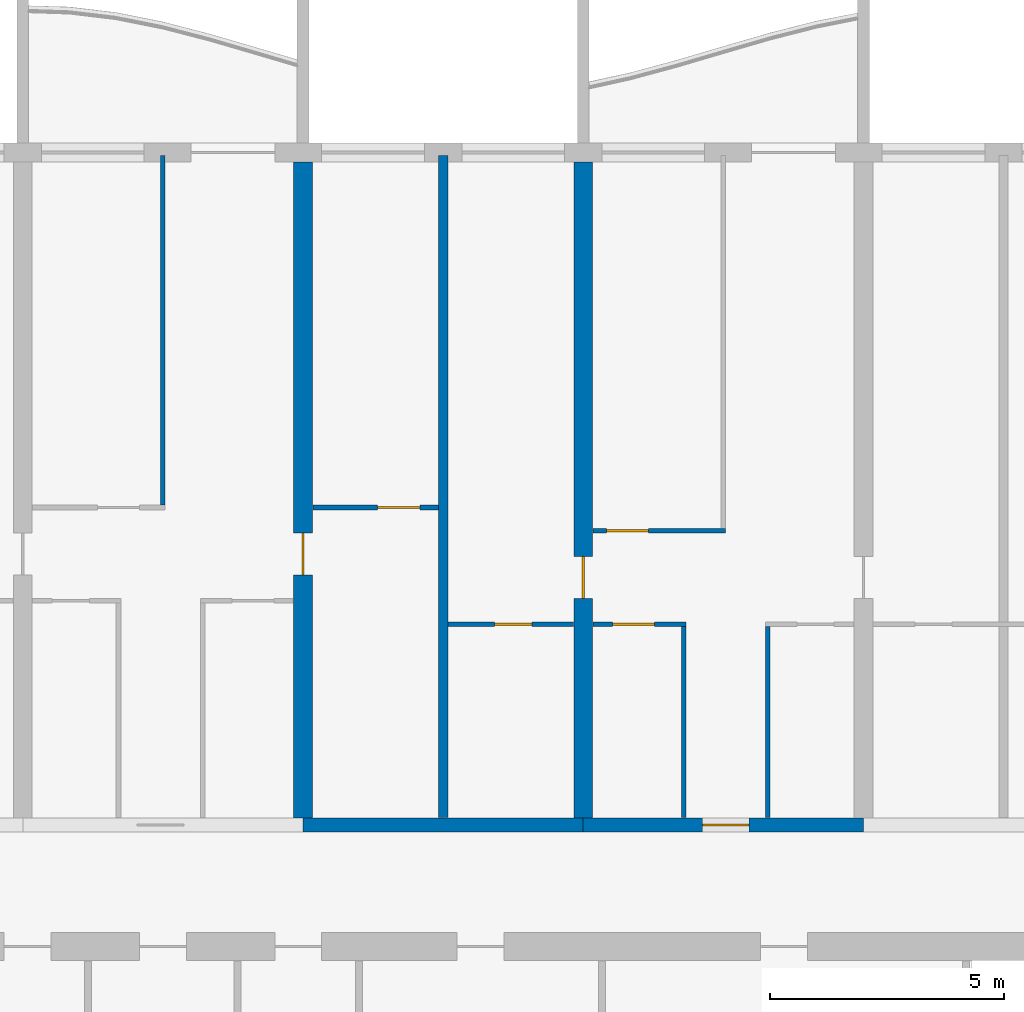
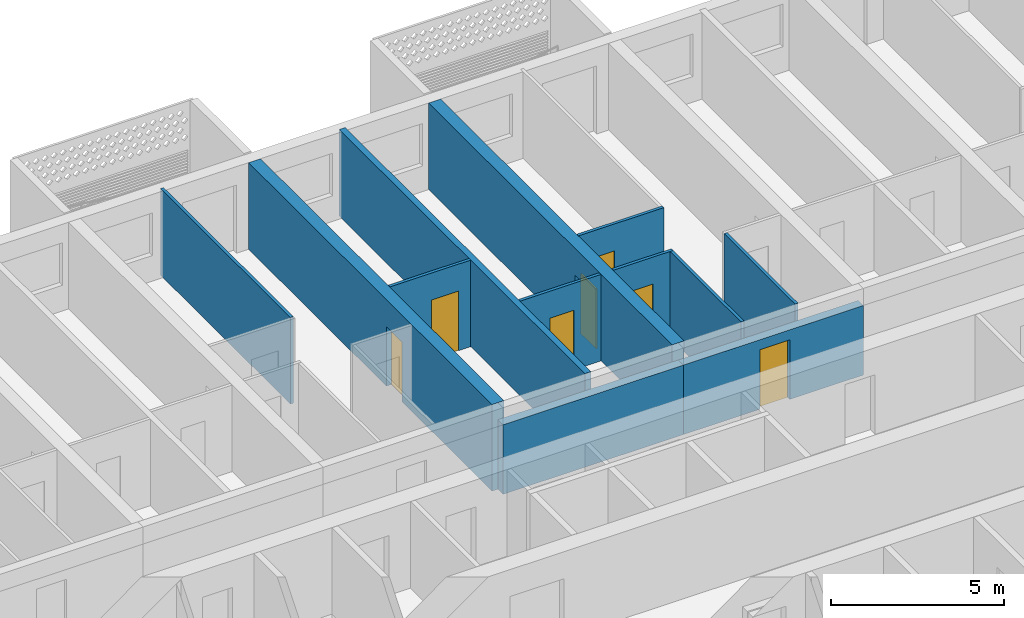
# One storey, part 12 of 40: 12 walls, 7 doors, 7 openings.
"""IFC4 building model written with IfcOpenShell, lengths in metres."""

from ifc_helpers import new_model, si_unit, direction, frame, frame_2d, origin, place, context, subcontext, project, spatial, rectangle, extrude, material, layer, layer_set, type_object, element, fill, save


model = new_model("IFC4")

# Units and contexts
model_context = context("Model", 3, precision=1e-05, world=origin(), true_north=direction((0.0, 1.0)))
body_context = subcontext(model_context, "Body", "Model", "MODEL_VIEW")
ifc_project = project(units=[si_unit("LENGTHUNIT", "METRE"), si_unit("AREAUNIT", "SQUARE_METRE"), si_unit("VOLUMEUNIT", "CUBIC_METRE"), si_unit("PLANEANGLEUNIT", "RADIAN"), si_unit("MASSUNIT", "GRAM", prefix="KILO")], contexts=[model_context])

# Site, building, storey
site_placement = place(None, origin())
site = spatial("IfcSite", under=ifc_project, at=site_placement, CompositionType="ELEMENT")
building_placement = place(site_placement, origin())
building = spatial("IfcBuilding", under=site, at=building_placement, Name="Poui Terraces", CompositionType="ELEMENT")
storey_placement = place(building_placement, frame((0.0, 0.0, 36.60009765625)))
storey = spatial("IfcBuildingStorey", under=building, at=storey_placement, Name="L09", CompositionType="ELEMENT", Elevation=36.60009765625)

# Wall
ifc_material_1 = material(Name="Concrete 80 MPa", Category="concrete")
ifc_layer_1 = layer(ifc_material_1, 0.300048828125)
ifc_layer_set_1 = layer_set([ifc_layer_1], Name="Concrete 80 MPa")
wall_type_1 = type_object("IfcWallType", Name="CORRIDOR WALL 300 80MPa", PredefinedType="SHEAR", material=ifc_layer_set_1)
wall_1_placement = place(storey_placement, frame((54.0, 30.39990234375, 0.0), z_axis=(0.0, 0.0, 1.0), x_axis=(1.0, 0.0, 0.0)))
element("IfcWall", 1, at=wall_1_placement, inside=storey, type_object=wall_type_1, Name="CORRIDOR WALL LINE E BAY 10", PredefinedType="SHEAR", context=body_context, shape_type="SweptSolid", body=[
    extrude(rectangle(XDim=6.0, YDim=0.300048828125, at=frame_2d((3.0, 0.0))), origin(), (0.0, 0.0, 1.0), 2.449951171875),
])

# Wall, opening, door
wall_2_placement = place(storey_placement, frame((60.0, 30.39990234375, 0.0), z_axis=(0.0, 0.0, 1.0), x_axis=(1.0, 0.0, 0.0)))
wall_2 = element("IfcWall", 2, at=wall_2_placement, inside=storey, type_object=wall_type_1, Name="CORRIDOR WALL LINE E BAY 11", PredefinedType="SHEAR", context=body_context, shape_type="SweptSolid", body=[
    extrude(rectangle(XDim=6.0, YDim=0.300048828125, at=frame_2d((3.0, 0.0))), origin(), (0.0, 0.0, 1.0), 2.449951171875),
])
opening_1_placement = place(wall_2_placement, frame((2.550048828125, 0.0, 0.0)))
opening_1 = element("IfcOpeningElement", 3, at=opening_1_placement, cuts=wall_2, Name="Opening FD30S", PredefinedType="OPENING", context=body_context, shape_type="SweptSolid", body=[
    extrude(rectangle(XDim=1.0, YDim=2.10009765625, at=frame_2d((0.5, 1.050048828125))), frame((0.0, 0.16015625, 0.0), z_axis=(0.0, -1.0, 0.0), x_axis=(1.0, 0.0, 0.0)), (0.0, 0.0, 1.0), 0.320068359375),
])
ifc_material_2 = material(Name="Steel fire door", Category="steel")
door_type_1 = type_object("IfcDoorType", Name="FLAT ENTRANCE DOOR 1000 X 2100", OperationType="NOTDEFINED", PredefinedType="DOOR", material=ifc_material_2)
door_1_placement = place(opening_1_placement, origin())
door_1 = element("IfcDoor", 4, at=door_1_placement, inside=storey, type_object=door_type_1, Name="FLAT ENTRANCE DOOR 068", OperationType="SINGLE_SWING_RIGHT", OverallHeight=2.10009765625, OverallWidth=1.0, PredefinedType="DOOR", context=body_context, shape_type="SweptSolid", body=[
    extrude(rectangle(XDim=1.0, YDim=2.10009765625, at=frame_2d((0.5, 1.050048828125))), frame((0.0, 0.02490234375, 0.0), z_axis=(0.0, -1.0, 0.0), x_axis=(1.0, 0.0, 0.0)), (0.0, 0.0, 1.0), 0.050048828125),
])
fill(opening_1, door_1)

ifc_layer_2 = layer(ifc_material_1, 0.39990234375)
ifc_layer_set_2 = layer_set([ifc_layer_2], Name="Concrete 80 MPa")
wall_type_2 = type_object("IfcWallType", Name="CROSS WALL 400 80MPa", PredefinedType="SHEAR", material=ifc_layer_set_2)
wall_3_placement = place(storey_placement, frame((54.0, 30.550048828125, 0.0), z_axis=(0.0, 0.0, 1.0), x_axis=(0.0, 1.0, 0.0)))
wall_3 = element("IfcWall", 5, at=wall_3_placement, inside=storey, type_object=wall_type_2, Name="CROSS WALL LINE 10 NORTH", PredefinedType="SHEAR", context=body_context, shape_type="SweptSolid", body=[
    extrude(rectangle(XDim=14.050048828125, YDim=0.39990234375, at=frame_2d((7.02490234375, 0.0))), origin(), (0.0, 0.0, 1.0), 3.0498046875),
])
opening_2_placement = place(wall_3_placement, frame((5.199951171875, 0.0, 0.0)))
opening_2 = element("IfcOpeningElement", 6, at=opening_2_placement, cuts=wall_3, Name="Opening D90", PredefinedType="OPENING", context=body_context, shape_type="SweptSolid", body=[
    extrude(rectangle(XDim=0.89990234375, YDim=2.10009765625, at=frame_2d((0.449951171875, 1.050048828125))), frame((0.0, 0.2099609375, 0.0), z_axis=(0.0, -1.0, 0.0), x_axis=(1.0, 0.0, 0.0)), (0.0, 0.0, 1.0), 0.419921875),
])
ifc_material_3 = material(Name="Solid core timber door", Category="wood")
door_type_2 = type_object("IfcDoorType", Name="INTERNAL DOOR 900 X 2100", OperationType="NOTDEFINED", PredefinedType="DOOR", material=ifc_material_3)
door_2_placement = place(opening_2_placement, origin())
door_2 = element("IfcDoor", 7, at=door_2_placement, inside=storey, type_object=door_type_2, Name="INTERNAL DOOR 062", OperationType="SINGLE_SWING_LEFT", OverallHeight=2.10009765625, OverallWidth=0.89990234375, PredefinedType="DOOR", context=body_context, shape_type="SweptSolid", body=[
    extrude(rectangle(XDim=0.89990234375, YDim=2.10009765625, at=frame_2d((0.449951171875, 1.050048828125))), frame((0.0, 0.02490234375, 0.0), z_axis=(0.0, -1.0, 0.0), x_axis=(1.0, 0.0, 0.0)), (0.0, 0.0, 1.0), 0.050048828125),
])
fill(opening_2, door_2)

wall_4_placement = place(storey_placement, frame((60.0, 30.550048828125, 0.0), z_axis=(0.0, 0.0, 1.0), x_axis=(0.0, 1.0, 0.0)))
wall_4 = element("IfcWall", 8, at=wall_4_placement, inside=storey, type_object=wall_type_2, Name="CROSS WALL LINE 11 NORTH", PredefinedType="SHEAR", context=body_context, shape_type="SweptSolid", body=[
    extrude(rectangle(XDim=14.050048828125, YDim=0.39990234375, at=frame_2d((7.02490234375, 0.0))), origin(), (0.0, 0.0, 1.0), 3.0498046875),
])
opening_3_placement = place(wall_4_placement, frame((4.699951171875, 0.0, 0.0)))
opening_3 = element("IfcOpeningElement", 9, at=opening_3_placement, cuts=wall_4, Name="Opening D90", PredefinedType="OPENING", context=body_context, shape_type="SweptSolid", body=[
    extrude(rectangle(XDim=0.89990234375, YDim=2.10009765625, at=frame_2d((0.449951171875, 1.050048828125))), frame((0.0, 0.2099609375, 0.0), z_axis=(0.0, -1.0, 0.0), x_axis=(1.0, 0.0, 0.0)), (0.0, 0.0, 1.0), 0.419921875),
])
door_3_placement = place(opening_3_placement, origin())
door_3 = element("IfcDoor", 10, at=door_3_placement, inside=storey, type_object=door_type_2, Name="INTERNAL DOOR 065", OperationType="SINGLE_SWING_LEFT", OverallHeight=2.10009765625, OverallWidth=0.89990234375, PredefinedType="DOOR", context=body_context, shape_type="SweptSolid", body=[
    extrude(rectangle(XDim=0.89990234375, YDim=2.10009765625, at=frame_2d((0.449951171875, 1.050048828125))), frame((0.0, 0.02490234375, 0.0), z_axis=(0.0, -1.0, 0.0), x_axis=(1.0, 0.0, 0.0)), (0.0, 0.0, 1.0), 0.050048828125),
])
fill(opening_3, door_3)

ifc_material_4 = material(Name="Plasterboard partition")
ifc_layer_3 = layer(ifc_material_4, 0.10009765625)
ifc_layer_set_3 = layer_set([ifc_layer_3], Name="Plasterboard partition")
wall_type_3 = type_object("IfcWallType", Name="FLAT PARTITION 100", PredefinedType="PARTITIONING", material=ifc_layer_set_3)
wall_5_placement = place(storey_placement, frame((57.10009765625, 34.699951171875, 0.0), z_axis=(0.0, 0.0, 1.0), x_axis=(1.0, 0.0, 0.0)))
wall_5 = element("IfcWall", 11, at=wall_5_placement, inside=storey, type_object=wall_type_3, Name="FLAT PARTITION 100", PredefinedType="PARTITIONING", context=body_context, shape_type="SweptSolid", body=[
    extrude(rectangle(XDim=2.68994140625, YDim=0.10009765625, at=frame_2d((1.344970703125, 0.0))), origin(), (0.0, 0.0, 1.0), 3.0498046875),
])
opening_4_placement = place(wall_5_placement, frame((1.0, 0.0, 0.0)))
opening_4 = element("IfcOpeningElement", 12, at=opening_4_placement, cuts=wall_5, Name="Opening D80", PredefinedType="OPENING", context=body_context, shape_type="SweptSolid", body=[
    extrude(rectangle(XDim=0.800048828125, YDim=2.10009765625, at=frame_2d((0.39990234375, 1.050048828125))), frame((0.0, 0.06005859375, 0.0), z_axis=(0.0, -1.0, 0.0), x_axis=(1.0, 0.0, 0.0)), (0.0, 0.0, 1.0), 0.1201171875),
])
door_type_3 = type_object("IfcDoorType", Name="BATHROOM, LAUNDRY AND STORE DOOR 800 X 2100", OperationType="NOTDEFINED", PredefinedType="DOOR", material=ifc_material_3)
door_4_placement = place(opening_4_placement, frame((0.800048828125, 0.0, 0.0), z_axis=(0.0, 0.0, 1.0), x_axis=(-1.0, 0.0, 0.0)))
door_4 = element("IfcDoor", 13, at=door_4_placement, inside=storey, type_object=door_type_3, Name="BATHROOM, LAUNDRY AND STORE DOOR 063", OperationType="SINGLE_SWING_RIGHT", OverallHeight=2.10009765625, OverallWidth=0.800048828125, PredefinedType="DOOR", context=body_context, shape_type="SweptSolid", body=[
    extrude(rectangle(XDim=0.800048828125, YDim=2.10009765625, at=frame_2d((0.39990234375, 1.050048828125))), frame((0.0, 0.02490234375, 0.0), z_axis=(0.0, -1.0, 0.0), x_axis=(1.0, 0.0, 0.0)), (0.0, 0.0, 1.0), 0.050048828125),
])
fill(opening_4, door_4)

wall_6_placement = place(storey_placement, frame((60.2099609375, 34.699951171875, 0.0), z_axis=(0.0, 0.0, 1.0), x_axis=(1.0, 0.0, 0.0)))
wall_6 = element("IfcWall", 14, at=wall_6_placement, inside=storey, type_object=wall_type_3, Name="FLAT PARTITION 100", PredefinedType="PARTITIONING", context=body_context, shape_type="SweptSolid", body=[
    extrude(rectangle(XDim=1.989990234375, YDim=0.10009765625, at=frame_2d((0.9951171875, 0.0))), origin(), (0.0, 0.0, 1.0), 3.0498046875),
])
opening_5_placement = place(wall_6_placement, frame((0.4150390625, 0.0, 0.0)))
opening_5 = element("IfcOpeningElement", 15, at=opening_5_placement, cuts=wall_6, Name="Opening D90", PredefinedType="OPENING", context=body_context, shape_type="SweptSolid", body=[
    extrude(rectangle(XDim=0.89990234375, YDim=2.10009765625, at=frame_2d((0.449951171875, 1.050048828125))), frame((0.0, 0.06005859375, 0.0), z_axis=(0.0, -1.0, 0.0), x_axis=(1.0, 0.0, 0.0)), (0.0, 0.0, 1.0), 0.1201171875),
])
door_5_placement = place(opening_5_placement, frame((0.89990234375, 0.0, 0.0), z_axis=(0.0, 0.0, 1.0), x_axis=(-1.0, 0.0, 0.0)))
door_5 = element("IfcDoor", 16, at=door_5_placement, inside=storey, type_object=door_type_2, Name="INTERNAL DOOR 067", OperationType="SINGLE_SWING_RIGHT", OverallHeight=2.10009765625, OverallWidth=0.89990234375, PredefinedType="DOOR", context=body_context, shape_type="SweptSolid", body=[
    extrude(rectangle(XDim=0.89990234375, YDim=2.10009765625, at=frame_2d((0.449951171875, 1.050048828125))), frame((0.0, 0.02490234375, 0.0), z_axis=(0.0, -1.0, 0.0), x_axis=(1.0, 0.0, 0.0)), (0.0, 0.0, 1.0), 0.050048828125),
])
fill(opening_5, door_5)

wall_7_placement = place(storey_placement, frame((60.2099609375, 36.699951171875, 0.0), z_axis=(0.0, 0.0, 1.0), x_axis=(1.0, 0.0, 0.0)))
wall_7 = element("IfcWall", 17, at=wall_7_placement, inside=storey, type_object=wall_type_3, Name="FLAT PARTITION 100", PredefinedType="PARTITIONING", context=body_context, shape_type="SweptSolid", body=[
    extrude(rectangle(XDim=2.840087890625, YDim=0.10009765625, at=frame_2d((1.419921875, 0.0))), origin(), (0.0, 0.0, 1.0), 3.0498046875),
])
opening_6_placement = place(wall_7_placement, frame((0.2900390625, 0.0, 0.0)))
opening_6 = element("IfcOpeningElement", 18, at=opening_6_placement, cuts=wall_7, Name="Opening D90", PredefinedType="OPENING", context=body_context, shape_type="SweptSolid", body=[
    extrude(rectangle(XDim=0.89990234375, YDim=2.10009765625, at=frame_2d((0.449951171875, 1.050048828125))), frame((0.0, 0.06005859375, 0.0), z_axis=(0.0, -1.0, 0.0), x_axis=(1.0, 0.0, 0.0)), (0.0, 0.0, 1.0), 0.1201171875),
])
door_6_placement = place(opening_6_placement, frame((0.89990234375, 0.0, 0.0), z_axis=(0.0, 0.0, 1.0), x_axis=(-1.0, 0.0, 0.0)))
door_6 = element("IfcDoor", 19, at=door_6_placement, inside=storey, type_object=door_type_2, Name="INTERNAL DOOR 066", OperationType="SINGLE_SWING_LEFT", OverallHeight=2.10009765625, OverallWidth=0.89990234375, PredefinedType="DOOR", context=body_context, shape_type="SweptSolid", body=[
    extrude(rectangle(XDim=0.89990234375, YDim=2.10009765625, at=frame_2d((0.449951171875, 1.050048828125))), frame((0.0, 0.02490234375, 0.0), z_axis=(0.0, -1.0, 0.0), x_axis=(1.0, 0.0, 0.0)), (0.0, 0.0, 1.0), 0.050048828125),
])
fill(opening_6, door_6)

wall_8_placement = place(storey_placement, frame((54.2099609375, 37.199951171875, 0.0), z_axis=(0.0, 0.0, 1.0), x_axis=(1.0, 0.0, 0.0)))
wall_8 = element("IfcWall", 20, at=wall_8_placement, inside=storey, type_object=wall_type_3, Name="FLAT PARTITION 100", PredefinedType="PARTITIONING", context=body_context, shape_type="SweptSolid", body=[
    extrude(rectangle(XDim=2.68994140625, YDim=0.10009765625, at=frame_2d((1.344970703125, 0.0))), origin(), (0.0, 0.0, 1.0), 3.0498046875),
])
opening_7_placement = place(wall_8_placement, frame((1.389892578125, 0.0, 0.0)))
opening_7 = element("IfcOpeningElement", 21, at=opening_7_placement, cuts=wall_8, Name="Opening D90", PredefinedType="OPENING", context=body_context, shape_type="SweptSolid", body=[
    extrude(rectangle(XDim=0.89990234375, YDim=2.10009765625, at=frame_2d((0.449951171875, 1.050048828125))), frame((0.0, 0.06005859375, 0.0), z_axis=(0.0, -1.0, 0.0), x_axis=(1.0, 0.0, 0.0)), (0.0, 0.0, 1.0), 0.1201171875),
])
door_7_placement = place(opening_7_placement, origin())
door_7 = element("IfcDoor", 22, at=door_7_placement, inside=storey, type_object=door_type_2, Name="INTERNAL DOOR 056", OperationType="SINGLE_SWING_RIGHT", OverallHeight=2.10009765625, OverallWidth=0.89990234375, PredefinedType="DOOR", context=body_context, shape_type="SweptSolid", body=[
    extrude(rectangle(XDim=0.89990234375, YDim=2.10009765625, at=frame_2d((0.449951171875, 1.050048828125))), frame((0.0, 0.02490234375, 0.0), z_axis=(0.0, -1.0, 0.0), x_axis=(1.0, 0.0, 0.0)), (0.0, 0.0, 1.0), 0.050048828125),
])
fill(opening_7, door_7)

# Walls
wall_9_placement = place(storey_placement, frame((51.0, 37.25, 0.0), z_axis=(0.0, 0.0, 1.0), x_axis=(0.0, 1.0, 0.0)))
element("IfcWall", 23, at=wall_9_placement, inside=storey, type_object=wall_type_3, Name="FLAT PARTITION 100", PredefinedType="PARTITIONING", context=body_context, shape_type="SweptSolid", body=[
    extrude(rectangle(XDim=7.489990234375, YDim=0.10009765625, at=frame_2d((3.7451171875, 0.0))), origin(), (0.0, 0.0, 1.0), 3.0498046875),
])
for number, where, z_axis, x_axis, name in (
    (24, (62.14990234375, 30.56005859375, 0.0), (0.0, 0.0, 1.0), (0.0, 1.0, 0.0), "FLAT PARTITION 100"),
    (25, (63.949951171875, 30.56005859375, 0.0), (0.0, 0.0, 1.0), (0.0, 1.0, 0.0), "FLAT PARTITION 100"),
):
    element("IfcWall", number, at=place(storey_placement, frame(where, z_axis=z_axis, x_axis=x_axis)), inside=storey, type_object=wall_type_3, Name=name, PredefinedType="PARTITIONING", context=body_context, shape_type="SweptSolid", body=[
        extrude(rectangle(XDim=4.08984375, YDim=0.10009765625, at=frame_2d((2.044921875, 0.0))), origin(), (0.0, 0.0, 1.0), 3.0498046875),
    ])
ifc_material_5 = material(Name="Fire-rated masonry wall", Category="masonry")
ifc_layer_4 = layer(ifc_material_5, 0.199951171875)
ifc_layer_set_4 = layer_set([ifc_layer_4], Name="Fire-rated masonry wall")
wall_type_4 = type_object("IfcWallType", Name="FLAT PARTY WALL 200", PredefinedType="PARTITIONING", material=ifc_layer_set_4)
wall_10_placement = place(storey_placement, frame((57.0, 30.56005859375, 0.0), z_axis=(0.0, 0.0, 1.0), x_axis=(0.0, 1.0, 0.0)))
element("IfcWall", 26, at=wall_10_placement, inside=storey, type_object=wall_type_4, Name="FLAT PARTY WALL 200", PredefinedType="PARTITIONING", context=body_context, shape_type="SweptSolid", body=[
    extrude(rectangle(XDim=14.179931640625, YDim=0.199951171875, at=frame_2d((7.08984375, 0.0))), origin(), (0.0, 0.0, 1.0), 3.0498046875),
])

save(model, "model.ifc")
